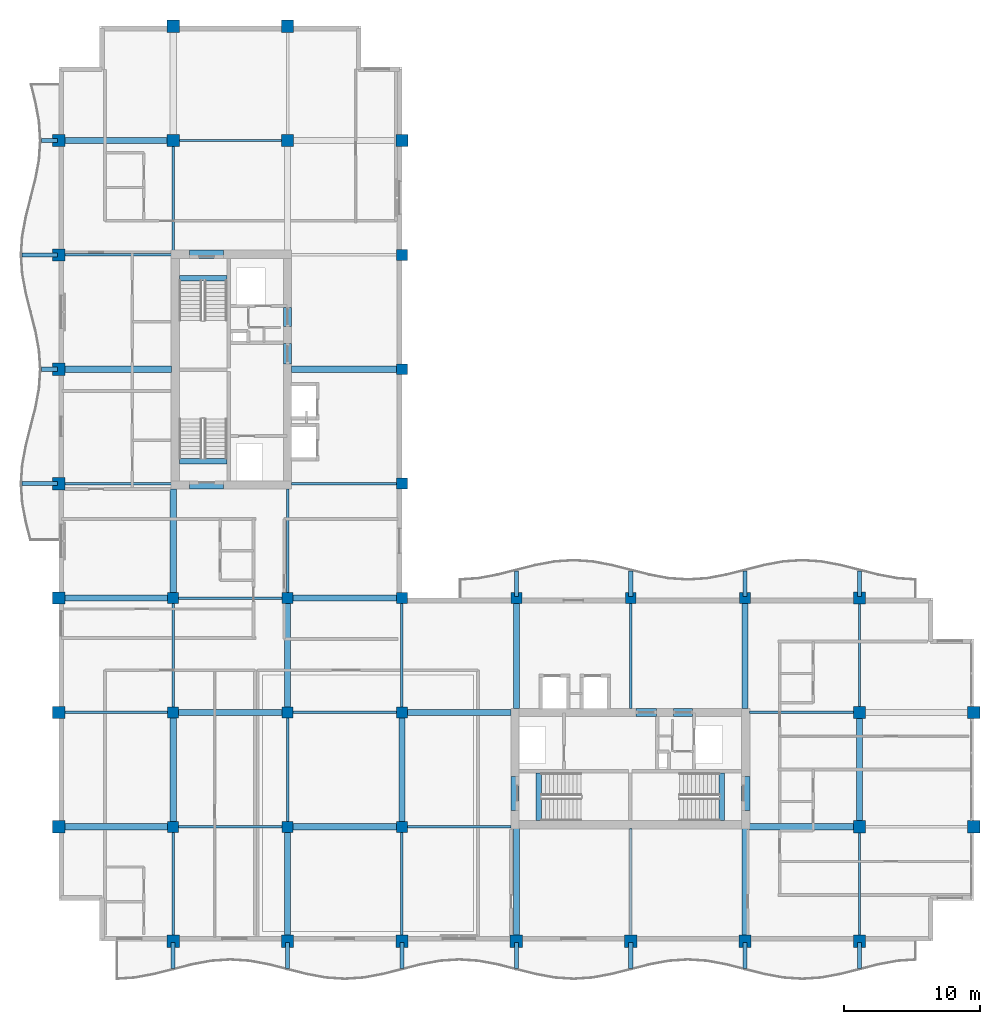
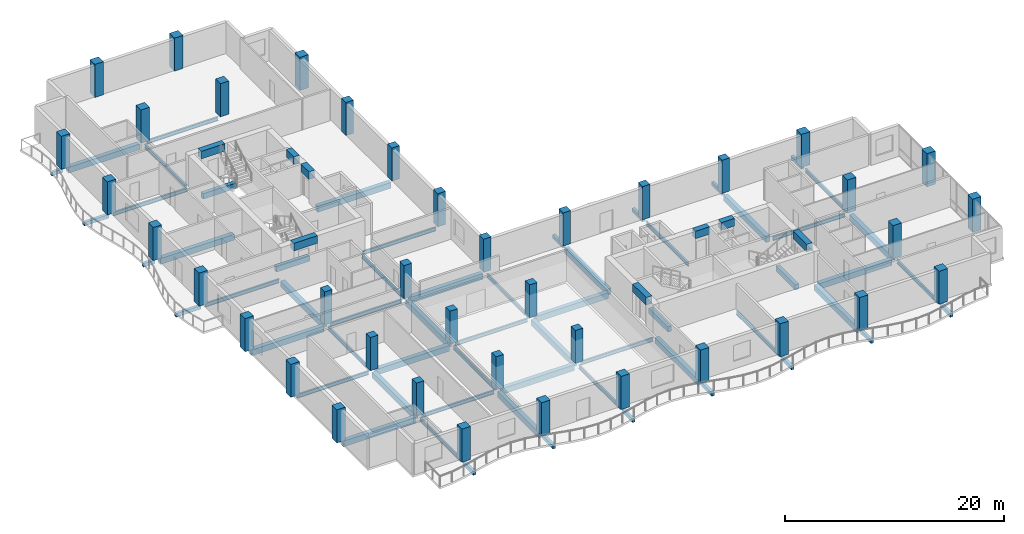
# One storey, part 1 of 16: 68 beams, 39 columns.
"""IFC4 building model written with IfcOpenShell, lengths in metres."""

import ifcopenshell
import ifcopenshell.guid

model = None  # the IFC model being written
_history = None  # IfcOwnerHistory: only IFC2X3 demands one
_inside = {}  # id of a spatial element -> (the spatial element, [elements in it])
_under = {}  # id of a project, library or spatial element -> (it, [spatial elements below it])
_declared = {}  # id of a project -> (the project, [libraries it declares])
_typed = {}  # id of a type object -> (the type object, [elements of that type])
_made_of = {}  # id of a material, layer set ... -> (it, [elements and type objects made of it])


def new_model(schema):
    """Start an empty IFC model of exactly this schema.

    Asked for "IFC4X3", IfcOpenShell would pick the latest addendum, in which some entities
    have other attributes; the version numbers below select the first issue.
    IFC2X3 requires an IfcOwnerHistory on every rooted entity: one is made here for all.
    """
    global model, _history
    if schema == "IFC4X3":
        model = ifcopenshell.file(schema_version=(4, 3, 0, 0))
    else:
        model = ifcopenshell.file(schema=schema)
    _inside.clear()
    _under.clear()
    _declared.clear()
    _typed.clear()
    _made_of.clear()
    _history = None
    if model.schema == "IFC2X3":
        org = make("IfcOrganization", Name="unknown")
        user = make(
            "IfcPersonAndOrganization",
            ThePerson=make("IfcPerson", FamilyName="unknown"),
            TheOrganization=org,
        )
        app = make(
            "IfcApplication",
            ApplicationDeveloper=org,
            Version="unknown",
            ApplicationFullName="unknown",
            ApplicationIdentifier="unknown",
        )
        _history = make(
            "IfcOwnerHistory",
            OwningUser=user,
            OwningApplication=app,
            ChangeAction="ADDED",
            CreationDate=0,
        )
    return model


def make(cls, **values):
    """One entity of the class cls with the attributes given. An attribute that is None is left unset."""
    return model.create_entity(
        cls, **{name: value for name, value in values.items() if value is not None}
    )


def rooted(cls, **values):
    """An entity with a GlobalId (a new one), such as an element, a storey or a relation."""
    return make(cls, GlobalId=ifcopenshell.guid.new(), OwnerHistory=_history, **values)


def si_unit(unit_type, name, prefix=None):
    """IfcSIUnit, for example si_unit("LENGTHUNIT", "METRE", prefix="MILLI")."""
    return make("IfcSIUnit", UnitType=unit_type, Prefix=prefix, Name=name)


def assignment(units):
    """IfcUnitAssignment: the units of a project."""
    return None if units is None else make("IfcUnitAssignment", Units=units)


def point(xyz):
    """IfcCartesianPoint."""
    return None if xyz is None else make("IfcCartesianPoint", Coordinates=xyz)


def direction(xyz):
    """IfcDirection."""
    return None if xyz is None else make("IfcDirection", DirectionRatios=xyz)


def frame(location, z_axis=None, x_axis=None):
    """IfcAxis2Placement3D, a coordinate frame: its origin and axes. An axis left out is left unset."""
    return make(
        "IfcAxis2Placement3D",
        Location=point(location),
        Axis=direction(z_axis),
        RefDirection=direction(x_axis),
    )


def frame_2d(location, x_axis=None):
    """IfcAxis2Placement2D, a coordinate frame in the plane: its origin and x axis."""
    return make(
        "IfcAxis2Placement2D", Location=point(location), RefDirection=direction(x_axis)
    )


def origin():
    """The frame at (0, 0, 0) with its axes left unset."""
    return frame((0.0, 0.0, 0.0))


def origin_2d():
    """The frame at (0, 0) in the plane with its x axis left unset."""
    return frame_2d((0.0, 0.0))


def place(relative_to, where):
    """IfcLocalPlacement: puts the frame where relative to a parent placement (None: the world)."""
    return make(
        "IfcLocalPlacement", PlacementRelTo=relative_to, RelativePlacement=where
    )


def context(
    kind, dimensions, precision=None, world=None, true_north=None, identifier=None
):
    """IfcGeometricRepresentationContext, for example the 3D "Model" context."""
    return make(
        "IfcGeometricRepresentationContext",
        ContextIdentifier=identifier,
        ContextType=kind,
        CoordinateSpaceDimension=dimensions,
        Precision=precision,
        WorldCoordinateSystem=world,
        TrueNorth=true_north,
    )


def subcontext(parent, identifier, kind, view, scale=None):
    """IfcGeometricRepresentationSubContext, for example "Body" below "Model"."""
    return make(
        "IfcGeometricRepresentationSubContext",
        ContextIdentifier=identifier,
        ContextType=kind,
        ParentContext=parent,
        TargetScale=scale,
        TargetView=view,
    )


def project(units=None, contexts=None):
    """IfcProject with its units and contexts."""
    return rooted(
        "IfcProject",
        Name="project",
        RepresentationContexts=contexts,
        UnitsInContext=assignment(units),
    )


def spatial(cls, under=None, at=None, **own):
    """A site, building, storey or space (cls), placed at a placement, below another one or the project."""
    s = rooted(cls, ObjectPlacement=at, **own)
    if under is not None:
        _under.setdefault(under.id(), (under, []))[1].append(s)
    return s


def profile(cls, at=None, kind="AREA", **sizes):
    """A parametric profile (cls). Its sizes go by their IFC names, for example OverallWidth=200.0."""
    return make(cls, ProfileType=kind, Position=at, **sizes)


def rectangle(**sizes):
    """IfcRectangleProfileDef."""
    return profile("IfcRectangleProfileDef", **sizes)


def i_section(**sizes):
    """IfcIShapeProfileDef."""
    return profile("IfcIShapeProfileDef", **sizes)


def extrude(swept, where, along, depth):
    """IfcExtrudedAreaSolid: the profile swept, set in the frame where, extruded along a direction by depth."""
    return make(
        "IfcExtrudedAreaSolid",
        SweptArea=swept,
        Position=where,
        ExtrudedDirection=direction(along),
        Depth=depth,
    )


def shape(context_of_items, identifier, shape_type, items):
    """IfcShapeRepresentation: the items that make up one representation, for example the "Body"."""
    return make(
        "IfcShapeRepresentation",
        ContextOfItems=context_of_items,
        RepresentationIdentifier=identifier,
        RepresentationType=shape_type,
        Items=items,
    )


def material(Name=None, Category=None):
    """IfcMaterial."""
    return make("IfcMaterial", Name=Name, Category=Category)


def material_profile(
    of_material, cross_section, Name=None, Category=None, Priority=None
):
    """IfcMaterialProfile: a cross section and its material."""
    return make(
        "IfcMaterialProfile",
        Name=Name,
        Material=of_material,
        Profile=cross_section,
        Priority=Priority,
        Category=Category,
    )


def profile_set(profiles, Name=None, composite=None):
    """IfcMaterialProfileSet."""
    return make(
        "IfcMaterialProfileSet",
        Name=Name,
        MaterialProfiles=profiles,
        CompositeProfile=composite,
    )


def made_of(thing, what):
    """Note that an element or type object is made of a material, layer set ...; save() writes the relation."""
    if what is not None:
        _made_of.setdefault(what.id(), (what, []))[1].append(thing)
    return thing


def type_object(cls, material=None, **own):
    """A type object (cls), such as IfcWallType, which elements share."""
    return made_of(rooted(cls, **own), material)


def element(
    cls,
    number,
    at=None,
    inside=None,
    cuts=None,
    type_object=None,
    material=None,
    context=None,
    identifier="Body",
    shape_type=None,
    held_by="IfcProductDefinitionShape",
    body=None,
    shapes=None,
    **own,
):
    """One element of the class cls, such as IfcWall. Its Tag is "e" and its number.

    at: its placement. inside: the storey or other place that contains it. cuts: it is an
    opening in that element (IfcRelVoidsElement). A single representation is given by context,
    identifier, shape_type and body (its items); several are given by shapes. held_by: the class
    of the entity that holds the representations. save() writes the other relations.
    """
    e = rooted(cls, Tag="e%d" % number, ObjectPlacement=at, **own)
    if body is not None:
        shapes = [shape(context, identifier, shape_type, body)]
    if shapes is not None:
        e.Representation = make(held_by, Representations=shapes)
    if inside is not None:
        _inside.setdefault(inside.id(), (inside, []))[1].append(e)
    if cuts is not None:
        rooted(
            "IfcRelVoidsElement", RelatingBuildingElement=cuts, RelatedOpeningElement=e
        )
    if type_object is not None:
        _typed.setdefault(type_object.id(), (type_object, []))[1].append(e)
    return made_of(e, material)


def aggregate(whole, parts):
    """IfcRelAggregates: a whole, such as a stair, and the parts it consists of."""
    return rooted("IfcRelAggregates", RelatingObject=whole, RelatedObjects=parts)


def save(model, path):
    """Write the relations noted so far, then the file.

    IfcRelAggregates (storeys below a building ...), IfcRelContainedInSpatialStructure (elements
    in a storey), IfcRelDefinesByType, IfcRelAssociatesMaterial and IfcRelDeclares: one each for
    every whole, place, type object, material and project.
    """
    for whole, parts in _under.values():
        aggregate(whole, parts)
    for where, things in _inside.values():
        rooted(
            "IfcRelContainedInSpatialStructure",
            RelatedElements=things,
            RelatingStructure=where,
        )
    for kind, things in _typed.values():
        rooted("IfcRelDefinesByType", RelatedObjects=things, RelatingType=kind)
    for what, things in _made_of.values():
        rooted("IfcRelAssociatesMaterial", RelatedObjects=things, RelatingMaterial=what)
    for by, libraries in _declared.values():
        rooted("IfcRelDeclares", RelatingContext=by, RelatedDefinitions=libraries)
    model.write(path)


model = new_model("IFC4")

# Units and contexts
model_context = context("Model", 3, precision=1e-05, world=origin(), true_north=direction((0.0, 1.0)))
body_context = subcontext(model_context, "Body", "Model", "MODEL_VIEW")
ifc_project = project(units=[si_unit("LENGTHUNIT", "METRE"), si_unit("AREAUNIT", "SQUARE_METRE"), si_unit("VOLUMEUNIT", "CUBIC_METRE"), si_unit("PLANEANGLEUNIT", "RADIAN"), si_unit("MASSUNIT", "GRAM", prefix="KILO")], contexts=[model_context])

# Site, building, storey
site_placement = place(None, origin())
site = spatial("IfcSite", under=ifc_project, at=site_placement, CompositionType="ELEMENT")
building_placement = place(site_placement, origin())
building = spatial("IfcBuilding", under=site, at=building_placement, Name="Koriwani Terraces Tower", CompositionType="ELEMENT")
storey_placement = place(building_placement, frame((0.0, 0.0, 274.89990234375)))
storey = spatial("IfcBuildingStorey", under=building, at=storey_placement, Name="L68", CompositionType="ELEMENT", Elevation=274.89990234375)

# Columns
ifc_material_1 = material(Name="Concrete C50/60", Category="concrete")
ifc_material_profile_1 = material_profile(ifc_material_1, rectangle(XDim=0.800048828125, YDim=0.800048828125, at=origin_2d()), Name="Concrete C50/60", Category="LoadBearing")
ifc_profile_set_1 = profile_set([ifc_material_profile_1], Name="Concrete C50/60")
column_type_1 = type_object("IfcColumnType", Name="COL_RC_800X800", PredefinedType="COLUMN", material=ifc_profile_set_1)
for number, where, z_axis, x_axis, name in (
    (1, (16.800048828125, 16.800048828125, 0.0), (0.0, 0.0, 1.0), (1.0, 0.0, 0.0), "L68 Column 3/C"),
    (2, (16.800048828125, 25.199951171875, 0.0), (0.0, 0.0, 1.0), (1.0, 0.0, 0.0), "L68 Column 3/D"),
    (3, (16.800048828125, 33.60009765625, 0.0), (0.0, 0.0, 1.0), (1.0, 0.0, 0.0), "L68 Column 3/E"),
    (4, (25.199951171875, 16.800048828125, 0.0), (0.0, 0.0, 1.0), (1.0, 0.0, 0.0), "L68 Column 4/C"),
    (5, (25.199951171875, 25.199951171875, 0.0), (0.0, 0.0, 1.0), (1.0, 0.0, 0.0), "L68 Column 4/D"),
    (6, (25.199951171875, 33.60009765625, 0.0), (0.0, 0.0, 1.0), (1.0, 0.0, 0.0), "L68 Column 4/E"),
    (7, (33.60009765625, 16.800048828125, 0.0), (0.0, 0.0, 1.0), (1.0, 0.0, 0.0), "L68 Column 5/C"),
    (8, (33.60009765625, 25.199951171875, 0.0), (0.0, 0.0, 1.0), (1.0, 0.0, 0.0), "L68 Column 5/D"),
    (9, (33.60009765625, 33.60009765625, 0.0), (0.0, 0.0, 1.0), (1.0, 0.0, 0.0), "L68 Column 5/E"),
    (10, (33.60009765625, 42.0, 0.0), (0.0, 0.0, 1.0), (1.0, 0.0, 0.0), "L68 Column 5/F"),
    (11, (33.60009765625, 50.39990234375, 0.0), (0.0, 0.0, 1.0), (1.0, 0.0, 0.0), "L68 Column 5/G"),
    (12, (33.60009765625, 58.800048828125, 0.0), (0.0, 0.0, 1.0), (1.0, 0.0, 0.0), "L68 Column 5/H"),
    (13, (42.0, 33.60009765625, 0.0), (0.0, 0.0, 1.0), (1.0, 0.0, 0.0), "L68 Column 6/E"),
    (14, (50.39990234375, 33.60009765625, 0.0), (0.0, 0.0, 1.0), (1.0, 0.0, 0.0), "L68 Column 7/E"),
    (15, (58.800048828125, 33.60009765625, 0.0), (0.0, 0.0, 1.0), (1.0, 0.0, 0.0), "L68 Column 8/E"),
):
    element("IfcColumn", number, at=place(storey_placement, frame(where, z_axis=z_axis, x_axis=x_axis)), inside=storey, type_object=column_type_1, Name=name, PredefinedType="COLUMN", context=body_context, shape_type="SweptSolid", body=[
        extrude(rectangle(XDim=0.800048828125, YDim=0.800048828125, at=origin_2d()), origin(), (0.0, 0.0, 1.0), 3.7001953125),
    ])
ifc_material_profile_2 = material_profile(ifc_material_1, rectangle(XDim=0.89990234375, YDim=0.89990234375, at=origin_2d()), Name="Concrete C50/60", Category="LoadBearing")
ifc_profile_set_2 = profile_set([ifc_material_profile_2], Name="Concrete C50/60")
column_type_2 = type_object("IfcColumnType", Name="COL_RC_900X900", PredefinedType="COLUMN", material=ifc_profile_set_2)
for number, where, z_axis, x_axis, name in (
    (16, (8.39990234375, 16.800048828125, 0.0), (0.0, 0.0, 1.0), (1.0, 0.0, 0.0), "L68 Column 2/C"),
    (17, (8.39990234375, 25.199951171875, 0.0), (0.0, 0.0, 1.0), (1.0, 0.0, 0.0), "L68 Column 2/D"),
    (18, (8.39990234375, 33.60009765625, 0.0), (0.0, 0.0, 1.0), (1.0, 0.0, 0.0), "L68 Column 2/E"),
    (19, (8.39990234375, 42.0, 0.0), (0.0, 0.0, 1.0), (1.0, 0.0, 0.0), "L68 Column 2/F"),
    (20, (8.39990234375, 50.39990234375, 0.0), (0.0, 0.0, 1.0), (1.0, 0.0, 0.0), "L68 Column 2/G"),
    (21, (8.39990234375, 58.800048828125, 0.0), (0.0, 0.0, 1.0), (1.0, 0.0, 0.0), "L68 Column 2/H"),
    (22, (8.39990234375, 67.199951171875, 0.0), (0.0, 0.0, 1.0), (1.0, 0.0, 0.0), "L68 Column 2/I"),
    (23, (16.800048828125, 8.39990234375, 0.0), (0.0, 0.0, 1.0), (1.0, 0.0, 0.0), "L68 Column 3/B"),
    (24, (16.800048828125, 67.199951171875, 0.0), (0.0, 0.0, 1.0), (1.0, 0.0, 0.0), "L68 Column 3/I"),
    (25, (16.800048828125, 75.60009765625, 0.0), (0.0, 0.0, 1.0), (1.0, 0.0, 0.0), "L68 Column 3/J"),
    (26, (25.199951171875, 8.39990234375, 0.0), (0.0, 0.0, 1.0), (1.0, 0.0, 0.0), "L68 Column 4/B"),
    (27, (25.199951171875, 67.199951171875, 0.0), (0.0, 0.0, 1.0), (1.0, 0.0, 0.0), "L68 Column 4/I"),
    (28, (25.199951171875, 75.60009765625, 0.0), (0.0, 0.0, 1.0), (1.0, 0.0, 0.0), "L68 Column 4/J"),
    (29, (33.60009765625, 8.39990234375, 0.0), (0.0, 0.0, 1.0), (1.0, 0.0, 0.0), "L68 Column 5/B"),
    (30, (33.60009765625, 67.199951171875, 0.0), (0.0, 0.0, 1.0), (1.0, 0.0, 0.0), "L68 Column 5/I"),
    (31, (42.0, 8.39990234375, 0.0), (0.0, 0.0, 1.0), (1.0, 0.0, 0.0), "L68 Column 6/B"),
    (32, (50.39990234375, 8.39990234375, 0.0), (0.0, 0.0, 1.0), (1.0, 0.0, 0.0), "L68 Column 7/B"),
    (33, (58.800048828125, 8.39990234375, 0.0), (0.0, 0.0, 1.0), (1.0, 0.0, 0.0), "L68 Column 8/B"),
    (34, (67.199951171875, 8.39990234375, 0.0), (0.0, 0.0, 1.0), (1.0, 0.0, 0.0), "L68 Column 9/B"),
    (35, (67.199951171875, 16.800048828125, 0.0), (0.0, 0.0, 1.0), (1.0, 0.0, 0.0), "L68 Column 9/C"),
    (36, (67.199951171875, 25.199951171875, 0.0), (0.0, 0.0, 1.0), (1.0, 0.0, 0.0), "L68 Column 9/D"),
    (37, (67.199951171875, 33.60009765625, 0.0), (0.0, 0.0, 1.0), (1.0, 0.0, 0.0), "L68 Column 9/E"),
    (38, (75.60009765625, 16.800048828125, 0.0), (0.0, 0.0, 1.0), (1.0, 0.0, 0.0), "L68 Column 10/C"),
    (39, (75.60009765625, 25.199951171875, 0.0), (0.0, 0.0, 1.0), (1.0, 0.0, 0.0), "L68 Column 10/D"),
):
    element("IfcColumn", number, at=place(storey_placement, frame(where, z_axis=z_axis, x_axis=x_axis)), inside=storey, type_object=column_type_2, Name=name, PredefinedType="COLUMN", context=body_context, shape_type="SweptSolid", body=[
        extrude(rectangle(XDim=0.89990234375, YDim=0.89990234375, at=origin_2d()), origin(), (0.0, 0.0, 1.0), 3.7001953125),
    ])

# Beams
ifc_material_2 = material(Name="Concrete C40/50", Category="concrete")
ifc_material_profile_3 = material_profile(ifc_material_2, rectangle(XDim=0.300048828125, YDim=0.39990234375, at=origin_2d()), Name="Concrete C40/50", Category="LoadBearing")
ifc_profile_set_3 = profile_set([ifc_material_profile_3], Name="Concrete C40/50")
beam_type_1 = type_object("IfcBeamType", Name="BEAM_RC_BALCONY_RIB_300X400", PredefinedType="JOIST", material=ifc_profile_set_3)
for number, where, z_axis, x_axis, name in (
    (40, (16.800048828125, 6.409912109375, -0.429931640625), (0.0, 1.0, 0.0), (-1.0, 0.0, 0.0), "L68 Balcony Bracket Rib S-1"),
    (41, (25.199951171875, 6.409912109375, -0.429931640625), (0.0, 1.0, 0.0), (-1.0, 0.0, 0.0), "L68 Balcony Bracket Rib S-2"),
    (42, (33.60009765625, 6.409912109375, -0.429931640625), (0.0, 1.0, 0.0), (-1.0, 0.0, 0.0), "L68 Balcony Bracket Rib S-3"),
    (43, (42.0, 6.409912109375, -0.429931640625), (0.0, 1.0, 0.0), (-1.0, 0.0, 0.0), "L68 Balcony Bracket Rib S-4"),
    (44, (50.39990234375, 6.409912109375, -0.429931640625), (0.0, 1.0, 0.0), (-1.0, 0.0, 0.0), "L68 Balcony Bracket Rib S-5"),
    (45, (58.800048828125, 6.409912109375, -0.429931640625), (0.0, 1.0, 0.0), (-1.0, 0.0, 0.0), "L68 Balcony Bracket Rib S-6"),
    (46, (67.199951171875, 6.409912109375, -0.429931640625), (0.0, 1.0, 0.0), (-1.0, 0.0, 0.0), "L68 Balcony Bracket Rib S-7"),
):
    element("IfcBeam", number, at=place(storey_placement, frame(where, z_axis=z_axis, x_axis=x_axis)), inside=storey, type_object=beam_type_1, Name=name, PredefinedType="JOIST", context=body_context, shape_type="SweptSolid", body=[
        extrude(rectangle(XDim=0.300048828125, YDim=0.39990234375, at=origin_2d()), origin(), (0.0, 0.0, 1.0), 1.89013671875),
    ])
beam_1_placement = place(storey_placement, frame((5.699951171875, 42.0, -0.429931640625), z_axis=(1.0, 0.0, 0.0), x_axis=(0.0, 1.0, 0.0)))
element("IfcBeam", 47, at=beam_1_placement, inside=storey, type_object=beam_type_1, Name="L68 Balcony Bracket Rib W-1", PredefinedType="JOIST", context=body_context, shape_type="SweptSolid", body=[
    extrude(rectangle(XDim=0.300048828125, YDim=0.39990234375, at=origin_2d()), origin(), (0.0, 0.0, 1.0), 2.60009765625),
])
beam_2_placement = place(storey_placement, frame((7.1201171875, 50.39990234375, -0.429931640625), z_axis=(1.0, 0.0, 0.0), x_axis=(0.0, 1.0, 0.0)))
element("IfcBeam", 48, at=beam_2_placement, inside=storey, type_object=beam_type_1, Name="L68 Balcony Bracket Rib W-2", PredefinedType="JOIST", context=body_context, shape_type="SweptSolid", body=[
    extrude(rectangle(XDim=0.300048828125, YDim=0.39990234375, at=origin_2d()), origin(), (0.0, 0.0, 1.0), 1.179931640625),
])
beam_3_placement = place(storey_placement, frame((5.699951171875, 58.800048828125, -0.429931640625), z_axis=(1.0, 0.0, 0.0), x_axis=(0.0, 1.0, 0.0)))
element("IfcBeam", 49, at=beam_3_placement, inside=storey, type_object=beam_type_1, Name="L68 Balcony Bracket Rib W-3", PredefinedType="JOIST", context=body_context, shape_type="SweptSolid", body=[
    extrude(rectangle(XDim=0.300048828125, YDim=0.39990234375, at=origin_2d()), origin(), (0.0, 0.0, 1.0), 2.60009765625),
])
beam_4_placement = place(storey_placement, frame((7.1201171875, 67.199951171875, -0.429931640625), z_axis=(1.0, 0.0, 0.0), x_axis=(0.0, 1.0, 0.0)))
element("IfcBeam", 50, at=beam_4_placement, inside=storey, type_object=beam_type_1, Name="L68 Balcony Bracket Rib W-4", PredefinedType="JOIST", context=body_context, shape_type="SweptSolid", body=[
    extrude(rectangle(XDim=0.300048828125, YDim=0.39990234375, at=origin_2d()), origin(), (0.0, 0.0, 1.0), 1.179931640625),
])
for number, where, z_axis, x_axis, name in (
    (51, (42.0, 33.699951171875, -0.429931640625), (0.0, 1.0, 0.0), (-1.0, 0.0, 0.0), "L68 Balcony Bracket Rib NE-1"),
    (52, (50.39990234375, 33.699951171875, -0.429931640625), (0.0, 1.0, 0.0), (-1.0, 0.0, 0.0), "L68 Balcony Bracket Rib NE-2"),
    (53, (58.800048828125, 33.699951171875, -0.429931640625), (0.0, 1.0, 0.0), (-1.0, 0.0, 0.0), "L68 Balcony Bracket Rib NE-3"),
    (54, (67.199951171875, 33.699951171875, -0.429931640625), (0.0, 1.0, 0.0), (-1.0, 0.0, 0.0), "L68 Balcony Bracket Rib NE-4"),
):
    element("IfcBeam", number, at=place(storey_placement, frame(where, z_axis=z_axis, x_axis=x_axis)), inside=storey, type_object=beam_type_1, Name=name, PredefinedType="JOIST", context=body_context, shape_type="SweptSolid", body=[
        extrude(rectangle(XDim=0.300048828125, YDim=0.39990234375, at=origin_2d()), origin(), (0.0, 0.0, 1.0), 1.89013671875),
    ])
ifc_material_profile_4 = material_profile(ifc_material_1, rectangle(XDim=0.60009765625, YDim=0.85009765625, at=origin_2d()), Name="Concrete C50/60", Category="LoadBearing")
ifc_profile_set_4 = profile_set([ifc_material_profile_4], Name="Concrete C50/60")
beam_type_2 = type_object("IfcBeamType", Name="BEAM_RC_COUPLING_600X850", PredefinedType="LINTEL", material=ifc_profile_set_4)
beam_5_placement = place(storey_placement, frame((25.199951171875, 50.800048828125, 3.045166015625), z_axis=(0.0, 1.0, 0.0), x_axis=(-1.0, 0.0, 0.0)))
element("IfcBeam", 55, at=beam_5_placement, inside=storey, type_object=beam_type_2, Name="L68 Core Coupling Lintel Beam WE1", PredefinedType="LINTEL", context=body_context, shape_type="SweptSolid", body=[
    extrude(rectangle(XDim=0.60009765625, YDim=0.85009765625, at=origin_2d()), origin(), (0.0, 0.0, 1.0), 1.47998046875),
])
beam_6_placement = place(storey_placement, frame((25.199951171875, 53.550048828125, 3.045166015625), z_axis=(0.0, 1.0, 0.0), x_axis=(-1.0, 0.0, 0.0)))
element("IfcBeam", 56, at=beam_6_placement, inside=storey, type_object=beam_type_2, Name="L68 Core Coupling Lintel Beam WE2", PredefinedType="LINTEL", context=body_context, shape_type="SweptSolid", body=[
    extrude(rectangle(XDim=0.60009765625, YDim=0.85009765625, at=origin_2d()), origin(), (0.0, 0.0, 1.0), 1.39990234375),
])
for number, where, z_axis, x_axis, name in (
    (57, (18.0, 41.89990234375, 3.045166015625), (1.0, 0.0, 0.0), (0.0, 1.0, 0.0), "L68 Core Coupling Lintel Beam WS"),
    (58, (18.0, 58.85009765625, 3.045166015625), (1.0, 0.0, 0.0), (0.0, 1.0, 0.0), "L68 Core Coupling Lintel Beam WN"),
):
    element("IfcBeam", number, at=place(storey_placement, frame(where, z_axis=z_axis, x_axis=x_axis)), inside=storey, type_object=beam_type_2, Name=name, PredefinedType="LINTEL", context=body_context, shape_type="SweptSolid", body=[
        extrude(rectangle(XDim=0.60009765625, YDim=0.85009765625, at=origin_2d()), origin(), (0.0, 0.0, 1.0), 2.5),
    ])
beam_7_placement = place(storey_placement, frame((50.800048828125, 25.199951171875, 3.045166015625), z_axis=(1.0, 0.0, 0.0), x_axis=(0.0, 1.0, 0.0)))
element("IfcBeam", 59, at=beam_7_placement, inside=storey, type_object=beam_type_2, Name="L68 Core Coupling Lintel Beam EN1", PredefinedType="LINTEL", context=body_context, shape_type="SweptSolid", body=[
    extrude(rectangle(XDim=0.60009765625, YDim=0.85009765625, at=origin_2d()), origin(), (0.0, 0.0, 1.0), 1.47998046875),
])
beam_8_placement = place(storey_placement, frame((53.550048828125, 25.199951171875, 3.045166015625), z_axis=(1.0, 0.0, 0.0), x_axis=(0.0, 1.0, 0.0)))
element("IfcBeam", 60, at=beam_8_placement, inside=storey, type_object=beam_type_2, Name="L68 Core Coupling Lintel Beam EN2", PredefinedType="LINTEL", context=body_context, shape_type="SweptSolid", body=[
    extrude(rectangle(XDim=0.60009765625, YDim=0.85009765625, at=origin_2d()), origin(), (0.0, 0.0, 1.0), 1.39990234375),
])
for number, where, z_axis, x_axis, name in (
    (61, (41.89990234375, 18.0, 3.045166015625), (0.0, 1.0, 0.0), (-1.0, 0.0, 0.0), "L68 Core Coupling Lintel Beam EW"),
    (62, (58.85009765625, 18.0, 3.045166015625), (0.0, 1.0, 0.0), (-1.0, 0.0, 0.0), "L68 Core Coupling Lintel Beam EE"),
):
    element("IfcBeam", number, at=place(storey_placement, frame(where, z_axis=z_axis, x_axis=x_axis)), inside=storey, type_object=beam_type_2, Name=name, PredefinedType="LINTEL", context=body_context, shape_type="SweptSolid", body=[
        extrude(rectangle(XDim=0.60009765625, YDim=0.85009765625, at=origin_2d()), origin(), (0.0, 0.0, 1.0), 2.5),
    ])
ifc_material_profile_5 = material_profile(ifc_material_2, rectangle(XDim=0.39990234375, YDim=0.60009765625, at=origin_2d()), Name="Concrete C40/50", Category="LoadBearing")
ifc_profile_set_5 = profile_set([ifc_material_profile_5], Name="Concrete C40/50")
beam_type_3 = type_object("IfcBeamType", Name="BEAM_RC_GRID_400X600", PredefinedType="BEAM", material=ifc_profile_set_5)
for number, where, z_axis, x_axis, name in (
    (63, (17.25, 43.655029296875, -0.2998046875), (1.0, 0.0, 0.0), (0.0, 1.0, 0.0), "L68 Stairwell Header Trimmer Beam ST-W1"),
    (64, (17.25, 57.094970703125, -0.2998046875), (1.0, 0.0, 0.0), (0.0, 1.0, 0.0), "L68 Stairwell Header Trimmer Beam ST-W2"),
    (65, (43.655029296875, 17.25, -0.2998046875), (0.0, 1.0, 0.0), (-1.0, 0.0, 0.0), "L68 Stairwell Header Trimmer Beam ST-E1"),
    (66, (57.094970703125, 17.25, -0.2998046875), (0.0, 1.0, 0.0), (-1.0, 0.0, 0.0), "L68 Stairwell Header Trimmer Beam ST-E2"),
):
    element("IfcBeam", number, at=place(storey_placement, frame(where, z_axis=z_axis, x_axis=x_axis)), inside=storey, type_object=beam_type_3, Name=name, PredefinedType="BEAM", context=body_context, shape_type="SweptSolid", body=[
        extrude(rectangle(XDim=0.39990234375, YDim=0.60009765625, at=origin_2d()), origin(), (0.0, 0.0, 1.0), 3.5),
    ])
ifc_material_profile_6 = material_profile(ifc_material_1, rectangle(XDim=0.449951171875, YDim=0.64990234375, at=origin_2d()), Name="Concrete C50/60", Category="LoadBearing")
ifc_profile_set_6 = profile_set([ifc_material_profile_6], Name="Concrete C50/60")
beam_type_4 = type_object("IfcBeamType", Name="BEAM_RC_GRID_450X650", PredefinedType="BEAM", material=ifc_profile_set_6)
beam_9_placement = place(storey_placement, frame((8.830078125, 16.800048828125, -0.554931640625), z_axis=(1.0, 0.0, 0.0), x_axis=(0.0, 1.0, 0.0)))
element("IfcBeam", 67, at=beam_9_placement, inside=storey, type_object=beam_type_4, Name="L68 Grid Beam C (8.4-16.8m)", PredefinedType="BEAM", context=body_context, shape_type="SweptSolid", body=[
    extrude(rectangle(XDim=0.449951171875, YDim=0.64990234375, at=origin_2d()), origin(), (0.0, 0.0, 1.0), 7.58984375),
])
beam_10_placement = place(storey_placement, frame((25.580078125, 16.800048828125, -0.554931640625), z_axis=(1.0, 0.0, 0.0), x_axis=(0.0, 1.0, 0.0)))
element("IfcBeam", 68, at=beam_10_placement, inside=storey, type_object=beam_type_4, Name="L68 Grid Beam C (25.2-33.6m)", PredefinedType="BEAM", context=body_context, shape_type="SweptSolid", body=[
    extrude(rectangle(XDim=0.449951171875, YDim=0.64990234375, at=origin_2d()), origin(), (0.0, 0.0, 1.0), 7.639892578125),
])
for number, where, z_axis, x_axis, name in (
    (69, (59.1298828125, 16.800048828125, -0.554931640625), (1.0, 0.0, 0.0), (0.0, 1.0, 0.0), "L68 Grid Beam C (58.8-67.2m)"),
    (70, (17.179931640625, 25.199951171875, -0.554931640625), (1.0, 0.0, 0.0), (0.0, 1.0, 0.0), "L68 Grid Beam D (16.8-25.2m)"),
    (71, (33.97998046875, 25.199951171875, -0.554931640625), (1.0, 0.0, 0.0), (0.0, 1.0, 0.0), "L68 Grid Beam D (33.6-42.0m)"),
):
    element("IfcBeam", number, at=place(storey_placement, frame(where, z_axis=z_axis, x_axis=x_axis)), inside=storey, type_object=beam_type_4, Name=name, PredefinedType="BEAM", context=body_context, shape_type="SweptSolid", body=[
        extrude(rectangle(XDim=0.449951171875, YDim=0.64990234375, at=origin_2d()), origin(), (0.0, 0.0, 1.0), 7.64013671875),
    ])
beam_11_placement = place(storey_placement, frame((8.830078125, 33.60009765625, -0.554931640625), z_axis=(1.0, 0.0, 0.0), x_axis=(0.0, 1.0, 0.0)))
element("IfcBeam", 72, at=beam_11_placement, inside=storey, type_object=beam_type_4, Name="L68 Grid Beam E (8.4-16.8m)", PredefinedType="BEAM", context=body_context, shape_type="SweptSolid", body=[
    extrude(rectangle(XDim=0.449951171875, YDim=0.64990234375, at=origin_2d()), origin(), (0.0, 0.0, 1.0), 7.58984375),
])
beam_12_placement = place(storey_placement, frame((25.580078125, 33.60009765625, -0.554931640625), z_axis=(1.0, 0.0, 0.0), x_axis=(0.0, 1.0, 0.0)))
element("IfcBeam", 73, at=beam_12_placement, inside=storey, type_object=beam_type_4, Name="L68 Grid Beam E (25.2-33.6m)", PredefinedType="BEAM", context=body_context, shape_type="SweptSolid", body=[
    extrude(rectangle(XDim=0.449951171875, YDim=0.64990234375, at=origin_2d()), origin(), (0.0, 0.0, 1.0), 7.639892578125),
])
beam_13_placement = place(storey_placement, frame((8.830078125, 50.39990234375, -0.554931640625), z_axis=(1.0, 0.0, 0.0), x_axis=(0.0, 1.0, 0.0)))
element("IfcBeam", 74, at=beam_13_placement, inside=storey, type_object=beam_type_4, Name="L68 Grid Beam G (8.4-16.8m)", PredefinedType="BEAM", context=body_context, shape_type="SweptSolid", body=[
    extrude(rectangle(XDim=0.449951171875, YDim=0.64990234375, at=origin_2d()), origin(), (0.0, 0.0, 1.0), 7.83984375),
])
beam_14_placement = place(storey_placement, frame((25.47998046875, 50.39990234375, -0.554931640625), z_axis=(1.0, 0.0, 0.0), x_axis=(0.0, 1.0, 0.0)))
element("IfcBeam", 75, at=beam_14_placement, inside=storey, type_object=beam_type_4, Name="L68 Grid Beam G (25.2-33.6m)", PredefinedType="BEAM", context=body_context, shape_type="SweptSolid", body=[
    extrude(rectangle(XDim=0.449951171875, YDim=0.64990234375, at=origin_2d()), origin(), (0.0, 0.0, 1.0), 7.739990234375),
])
beam_15_placement = place(storey_placement, frame((8.830078125, 67.199951171875, -0.554931640625), z_axis=(1.0, 0.0, 0.0), x_axis=(0.0, 1.0, 0.0)))
element("IfcBeam", 76, at=beam_15_placement, inside=storey, type_object=beam_type_4, Name="L68 Grid Beam I (8.4-16.8m)", PredefinedType="BEAM", context=body_context, shape_type="SweptSolid", body=[
    extrude(rectangle(XDim=0.449951171875, YDim=0.64990234375, at=origin_2d()), origin(), (0.0, 0.0, 1.0), 7.5400390625),
])
for number, where, z_axis, x_axis, name in (
    (77, (16.800048828125, 17.179931640625, -0.554931640625), (0.0, 1.0, 0.0), (-1.0, 0.0, 0.0), "L68 Grid Beam 3 (16.8-25.2m)"),
    (78, (16.800048828125, 33.97998046875, -0.554931640625), (0.0, 1.0, 0.0), (-1.0, 0.0, 0.0), "L68 Grid Beam 3 (33.6-42.0m)"),
):
    element("IfcBeam", number, at=place(storey_placement, frame(where, z_axis=z_axis, x_axis=x_axis)), inside=storey, type_object=beam_type_4, Name=name, PredefinedType="BEAM", context=body_context, shape_type="SweptSolid", body=[
        extrude(rectangle(XDim=0.449951171875, YDim=0.64990234375, at=origin_2d()), origin(), (0.0, 0.0, 1.0), 7.64013671875),
    ])
beam_16_placement = place(storey_placement, frame((25.199951171875, 8.830078125, -0.554931640625), z_axis=(0.0, 1.0, 0.0), x_axis=(-1.0, 0.0, 0.0)))
element("IfcBeam", 79, at=beam_16_placement, inside=storey, type_object=beam_type_4, Name="L68 Grid Beam 4 (8.4-16.8m)", PredefinedType="BEAM", context=body_context, shape_type="SweptSolid", body=[
    extrude(rectangle(XDim=0.449951171875, YDim=0.64990234375, at=origin_2d()), origin(), (0.0, 0.0, 1.0), 7.58984375),
])
beam_17_placement = place(storey_placement, frame((25.199951171875, 25.580078125, -0.554931640625), z_axis=(0.0, 1.0, 0.0), x_axis=(-1.0, 0.0, 0.0)))
element("IfcBeam", 80, at=beam_17_placement, inside=storey, type_object=beam_type_4, Name="L68 Grid Beam 4 (25.2-33.6m)", PredefinedType="BEAM", context=body_context, shape_type="SweptSolid", body=[
    extrude(rectangle(XDim=0.449951171875, YDim=0.64990234375, at=origin_2d()), origin(), (0.0, 0.0, 1.0), 7.639892578125),
])
beam_18_placement = place(storey_placement, frame((33.60009765625, 17.179931640625, -0.554931640625), z_axis=(0.0, 1.0, 0.0), x_axis=(-1.0, 0.0, 0.0)))
element("IfcBeam", 81, at=beam_18_placement, inside=storey, type_object=beam_type_4, Name="L68 Grid Beam 5 (16.8-25.2m)", PredefinedType="BEAM", context=body_context, shape_type="SweptSolid", body=[
    extrude(rectangle(XDim=0.449951171875, YDim=0.64990234375, at=origin_2d()), origin(), (0.0, 0.0, 1.0), 7.64013671875),
])
beam_19_placement = place(storey_placement, frame((42.0, 8.830078125, -0.554931640625), z_axis=(0.0, 1.0, 0.0), x_axis=(-1.0, 0.0, 0.0)))
element("IfcBeam", 82, at=beam_19_placement, inside=storey, type_object=beam_type_4, Name="L68 Grid Beam 6 (8.4-16.8m)", PredefinedType="BEAM", context=body_context, shape_type="SweptSolid", body=[
    extrude(rectangle(XDim=0.449951171875, YDim=0.64990234375, at=origin_2d()), origin(), (0.0, 0.0, 1.0), 7.83984375),
])
beam_20_placement = place(storey_placement, frame((42.0, 25.47998046875, -0.554931640625), z_axis=(0.0, 1.0, 0.0), x_axis=(-1.0, 0.0, 0.0)))
element("IfcBeam", 83, at=beam_20_placement, inside=storey, type_object=beam_type_4, Name="L68 Grid Beam 6 (25.2-33.6m)", PredefinedType="BEAM", context=body_context, shape_type="SweptSolid", body=[
    extrude(rectangle(XDim=0.449951171875, YDim=0.64990234375, at=origin_2d()), origin(), (0.0, 0.0, 1.0), 7.739990234375),
])
beam_21_placement = place(storey_placement, frame((58.800048828125, 8.830078125, -0.554931640625), z_axis=(0.0, 1.0, 0.0), x_axis=(-1.0, 0.0, 0.0)))
element("IfcBeam", 84, at=beam_21_placement, inside=storey, type_object=beam_type_4, Name="L68 Grid Beam 8 (8.4-16.8m)", PredefinedType="BEAM", context=body_context, shape_type="SweptSolid", body=[
    extrude(rectangle(XDim=0.449951171875, YDim=0.64990234375, at=origin_2d()), origin(), (0.0, 0.0, 1.0), 7.83984375),
])
beam_22_placement = place(storey_placement, frame((58.800048828125, 25.47998046875, -0.554931640625), z_axis=(0.0, 1.0, 0.0), x_axis=(-1.0, 0.0, 0.0)))
element("IfcBeam", 85, at=beam_22_placement, inside=storey, type_object=beam_type_4, Name="L68 Grid Beam 8 (25.2-33.6m)", PredefinedType="BEAM", context=body_context, shape_type="SweptSolid", body=[
    extrude(rectangle(XDim=0.449951171875, YDim=0.64990234375, at=origin_2d()), origin(), (0.0, 0.0, 1.0), 7.739990234375),
])
beam_23_placement = place(storey_placement, frame((67.199951171875, 17.22998046875, -0.554931640625), z_axis=(0.0, 1.0, 0.0), x_axis=(-1.0, 0.0, 0.0)))
element("IfcBeam", 86, at=beam_23_placement, inside=storey, type_object=beam_type_4, Name="L68 Grid Beam 9 (16.8-25.2m)", PredefinedType="BEAM", context=body_context, shape_type="SweptSolid", body=[
    extrude(rectangle(XDim=0.449951171875, YDim=0.64990234375, at=origin_2d()), origin(), (0.0, 0.0, 1.0), 7.5400390625),
])
ifc_material_3 = material(Name="Steel ASTM A572 Grade 50", Category="steel")
ifc_material_profile_7 = material_profile(ifc_material_3, i_section(OverallWidth=0.180908203125, OverallDepth=0.4169921875, WebThickness=0.010986328125, FlangeThickness=0.018310546875, at=origin_2d()), Name="Steel ASTM A572 Grade 50", Category="LoadBearing")
ifc_profile_set_7 = profile_set([ifc_material_profile_7], Name="Steel ASTM A572 Grade 50")
beam_type_5 = type_object("IfcBeamType", Name="STEEL_BEAM_W410X85", PredefinedType="JOIST", material=ifc_profile_set_7)
for number, where, z_axis, x_axis, name in (
    (87, (17.179931640625, 16.800048828125, -0.4384765625), (1.0, 0.0, 0.0), (0.0, 1.0, 0.0), "L68 Grid Beam C (16.8-25.2m)"),
    (88, (33.97998046875, 16.800048828125, -0.4384765625), (1.0, 0.0, 0.0), (0.0, 1.0, 0.0), "L68 Grid Beam C (33.6-42.0m)"),
):
    element("IfcBeam", number, at=place(storey_placement, frame(where, z_axis=z_axis, x_axis=x_axis)), inside=storey, type_object=beam_type_5, Name=name, PredefinedType="JOIST", context=body_context, shape_type="SweptSolid", body=[
        extrude(i_section(OverallWidth=0.180908203125, OverallDepth=0.4169921875, WebThickness=0.010986328125, FlangeThickness=0.018310546875, at=origin_2d()), origin(), (0.0, 0.0, 1.0), 7.64013671875),
    ])
beam_24_placement = place(storey_placement, frame((8.830078125, 25.199951171875, -0.4384765625), z_axis=(1.0, 0.0, 0.0), x_axis=(0.0, 1.0, 0.0)))
element("IfcBeam", 89, at=beam_24_placement, inside=storey, type_object=beam_type_5, Name="L68 Grid Beam D (8.4-16.8m)", PredefinedType="JOIST", context=body_context, shape_type="SweptSolid", body=[
    extrude(i_section(OverallWidth=0.180908203125, OverallDepth=0.4169921875, WebThickness=0.010986328125, FlangeThickness=0.018310546875, at=origin_2d()), origin(), (0.0, 0.0, 1.0), 7.58984375),
])
beam_25_placement = place(storey_placement, frame((25.580078125, 25.199951171875, -0.4384765625), z_axis=(1.0, 0.0, 0.0), x_axis=(0.0, 1.0, 0.0)))
element("IfcBeam", 90, at=beam_25_placement, inside=storey, type_object=beam_type_5, Name="L68 Grid Beam D (25.2-33.6m)", PredefinedType="JOIST", context=body_context, shape_type="SweptSolid", body=[
    extrude(i_section(OverallWidth=0.180908203125, OverallDepth=0.4169921875, WebThickness=0.010986328125, FlangeThickness=0.018310546875, at=origin_2d()), origin(), (0.0, 0.0, 1.0), 7.639892578125),
])
for number, where, z_axis, x_axis, name in (
    (91, (59.1298828125, 25.199951171875, -0.4384765625), (1.0, 0.0, 0.0), (0.0, 1.0, 0.0), "L68 Grid Beam D (58.8-67.2m)"),
    (92, (17.179931640625, 33.60009765625, -0.4384765625), (1.0, 0.0, 0.0), (0.0, 1.0, 0.0), "L68 Grid Beam E (16.8-25.2m)"),
):
    element("IfcBeam", number, at=place(storey_placement, frame(where, z_axis=z_axis, x_axis=x_axis)), inside=storey, type_object=beam_type_5, Name=name, PredefinedType="JOIST", context=body_context, shape_type="SweptSolid", body=[
        extrude(i_section(OverallWidth=0.180908203125, OverallDepth=0.4169921875, WebThickness=0.010986328125, FlangeThickness=0.018310546875, at=origin_2d()), origin(), (0.0, 0.0, 1.0), 7.64013671875),
    ])
beam_26_placement = place(storey_placement, frame((8.830078125, 42.0, -0.4384765625), z_axis=(1.0, 0.0, 0.0), x_axis=(0.0, 1.0, 0.0)))
element("IfcBeam", 93, at=beam_26_placement, inside=storey, type_object=beam_type_5, Name="L68 Grid Beam F (8.4-16.8m)", PredefinedType="JOIST", context=body_context, shape_type="SweptSolid", body=[
    extrude(i_section(OverallWidth=0.180908203125, OverallDepth=0.4169921875, WebThickness=0.010986328125, FlangeThickness=0.018310546875, at=origin_2d()), origin(), (0.0, 0.0, 1.0), 7.83984375),
])
beam_27_placement = place(storey_placement, frame((25.47998046875, 42.0, -0.4384765625), z_axis=(1.0, 0.0, 0.0), x_axis=(0.0, 1.0, 0.0)))
element("IfcBeam", 94, at=beam_27_placement, inside=storey, type_object=beam_type_5, Name="L68 Grid Beam F (25.2-33.6m)", PredefinedType="JOIST", context=body_context, shape_type="SweptSolid", body=[
    extrude(i_section(OverallWidth=0.180908203125, OverallDepth=0.4169921875, WebThickness=0.010986328125, FlangeThickness=0.018310546875, at=origin_2d()), origin(), (0.0, 0.0, 1.0), 7.739990234375),
])
beam_28_placement = place(storey_placement, frame((8.830078125, 58.800048828125, -0.4384765625), z_axis=(1.0, 0.0, 0.0), x_axis=(0.0, 1.0, 0.0)))
element("IfcBeam", 95, at=beam_28_placement, inside=storey, type_object=beam_type_5, Name="L68 Grid Beam H (8.4-16.8m)", PredefinedType="JOIST", context=body_context, shape_type="SweptSolid", body=[
    extrude(i_section(OverallWidth=0.180908203125, OverallDepth=0.4169921875, WebThickness=0.010986328125, FlangeThickness=0.018310546875, at=origin_2d()), origin(), (0.0, 0.0, 1.0), 7.83984375),
])
beam_29_placement = place(storey_placement, frame((17.22998046875, 67.199951171875, -0.4384765625), z_axis=(1.0, 0.0, 0.0), x_axis=(0.0, 1.0, 0.0)))
element("IfcBeam", 96, at=beam_29_placement, inside=storey, type_object=beam_type_5, Name="L68 Grid Beam I (16.8-25.2m)", PredefinedType="JOIST", context=body_context, shape_type="SweptSolid", body=[
    extrude(i_section(OverallWidth=0.180908203125, OverallDepth=0.4169921875, WebThickness=0.010986328125, FlangeThickness=0.018310546875, at=origin_2d()), origin(), (0.0, 0.0, 1.0), 7.5400390625),
])
beam_30_placement = place(storey_placement, frame((16.800048828125, 8.830078125, -0.4384765625), z_axis=(0.0, 1.0, 0.0), x_axis=(-1.0, 0.0, 0.0)))
element("IfcBeam", 97, at=beam_30_placement, inside=storey, type_object=beam_type_5, Name="L68 Grid Beam 3 (8.4-16.8m)", PredefinedType="JOIST", context=body_context, shape_type="SweptSolid", body=[
    extrude(i_section(OverallWidth=0.180908203125, OverallDepth=0.4169921875, WebThickness=0.010986328125, FlangeThickness=0.018310546875, at=origin_2d()), origin(), (0.0, 0.0, 1.0), 7.58984375),
])
beam_31_placement = place(storey_placement, frame((16.800048828125, 25.580078125, -0.4384765625), z_axis=(0.0, 1.0, 0.0), x_axis=(-1.0, 0.0, 0.0)))
element("IfcBeam", 98, at=beam_31_placement, inside=storey, type_object=beam_type_5, Name="L68 Grid Beam 3 (25.2-33.6m)", PredefinedType="JOIST", context=body_context, shape_type="SweptSolid", body=[
    extrude(i_section(OverallWidth=0.180908203125, OverallDepth=0.4169921875, WebThickness=0.010986328125, FlangeThickness=0.018310546875, at=origin_2d()), origin(), (0.0, 0.0, 1.0), 7.639892578125),
])
for number, where, z_axis, x_axis, name in (
    (99, (16.800048828125, 59.1298828125, -0.4384765625), (0.0, 1.0, 0.0), (-1.0, 0.0, 0.0), "L68 Grid Beam 3 (58.8-67.2m)"),
    (100, (25.199951171875, 17.179931640625, -0.4384765625), (0.0, 1.0, 0.0), (-1.0, 0.0, 0.0), "L68 Grid Beam 4 (16.8-25.2m)"),
    (101, (25.199951171875, 33.97998046875, -0.4384765625), (0.0, 1.0, 0.0), (-1.0, 0.0, 0.0), "L68 Grid Beam 4 (33.6-42.0m)"),
):
    element("IfcBeam", number, at=place(storey_placement, frame(where, z_axis=z_axis, x_axis=x_axis)), inside=storey, type_object=beam_type_5, Name=name, PredefinedType="JOIST", context=body_context, shape_type="SweptSolid", body=[
        extrude(i_section(OverallWidth=0.180908203125, OverallDepth=0.4169921875, WebThickness=0.010986328125, FlangeThickness=0.018310546875, at=origin_2d()), origin(), (0.0, 0.0, 1.0), 7.64013671875),
    ])
beam_32_placement = place(storey_placement, frame((33.60009765625, 8.830078125, -0.4384765625), z_axis=(0.0, 1.0, 0.0), x_axis=(-1.0, 0.0, 0.0)))
element("IfcBeam", 102, at=beam_32_placement, inside=storey, type_object=beam_type_5, Name="L68 Grid Beam 5 (8.4-16.8m)", PredefinedType="JOIST", context=body_context, shape_type="SweptSolid", body=[
    extrude(i_section(OverallWidth=0.180908203125, OverallDepth=0.4169921875, WebThickness=0.010986328125, FlangeThickness=0.018310546875, at=origin_2d()), origin(), (0.0, 0.0, 1.0), 7.58984375),
])
beam_33_placement = place(storey_placement, frame((33.60009765625, 25.580078125, -0.4384765625), z_axis=(0.0, 1.0, 0.0), x_axis=(-1.0, 0.0, 0.0)))
element("IfcBeam", 103, at=beam_33_placement, inside=storey, type_object=beam_type_5, Name="L68 Grid Beam 5 (25.2-33.6m)", PredefinedType="JOIST", context=body_context, shape_type="SweptSolid", body=[
    extrude(i_section(OverallWidth=0.180908203125, OverallDepth=0.4169921875, WebThickness=0.010986328125, FlangeThickness=0.018310546875, at=origin_2d()), origin(), (0.0, 0.0, 1.0), 7.639892578125),
])
beam_34_placement = place(storey_placement, frame((50.39990234375, 8.830078125, -0.4384765625), z_axis=(0.0, 1.0, 0.0), x_axis=(-1.0, 0.0, 0.0)))
element("IfcBeam", 104, at=beam_34_placement, inside=storey, type_object=beam_type_5, Name="L68 Grid Beam 7 (8.4-16.8m)", PredefinedType="JOIST", context=body_context, shape_type="SweptSolid", body=[
    extrude(i_section(OverallWidth=0.180908203125, OverallDepth=0.4169921875, WebThickness=0.010986328125, FlangeThickness=0.018310546875, at=origin_2d()), origin(), (0.0, 0.0, 1.0), 7.83984375),
])
beam_35_placement = place(storey_placement, frame((50.39990234375, 25.47998046875, -0.4384765625), z_axis=(0.0, 1.0, 0.0), x_axis=(-1.0, 0.0, 0.0)))
element("IfcBeam", 105, at=beam_35_placement, inside=storey, type_object=beam_type_5, Name="L68 Grid Beam 7 (25.2-33.6m)", PredefinedType="JOIST", context=body_context, shape_type="SweptSolid", body=[
    extrude(i_section(OverallWidth=0.180908203125, OverallDepth=0.4169921875, WebThickness=0.010986328125, FlangeThickness=0.018310546875, at=origin_2d()), origin(), (0.0, 0.0, 1.0), 7.739990234375),
])
for number, where, z_axis, x_axis, name in (
    (106, (67.199951171875, 8.830078125, -0.4384765625), (0.0, 1.0, 0.0), (-1.0, 0.0, 0.0), "L68 Grid Beam 9 (8.4-16.8m)"),
    (107, (67.199951171875, 25.6298828125, -0.4384765625), (0.0, 1.0, 0.0), (-1.0, 0.0, 0.0), "L68 Grid Beam 9 (25.2-33.6m)"),
):
    element("IfcBeam", number, at=place(storey_placement, frame(where, z_axis=z_axis, x_axis=x_axis)), inside=storey, type_object=beam_type_5, Name=name, PredefinedType="JOIST", context=body_context, shape_type="SweptSolid", body=[
        extrude(i_section(OverallWidth=0.180908203125, OverallDepth=0.4169921875, WebThickness=0.010986328125, FlangeThickness=0.018310546875, at=origin_2d()), origin(), (0.0, 0.0, 1.0), 7.5400390625),
    ])

save(model, "model.ifc")
